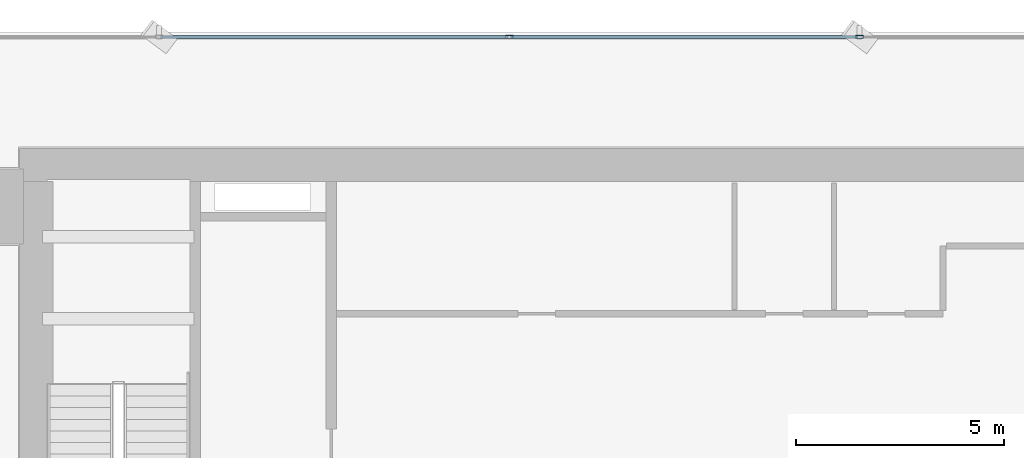
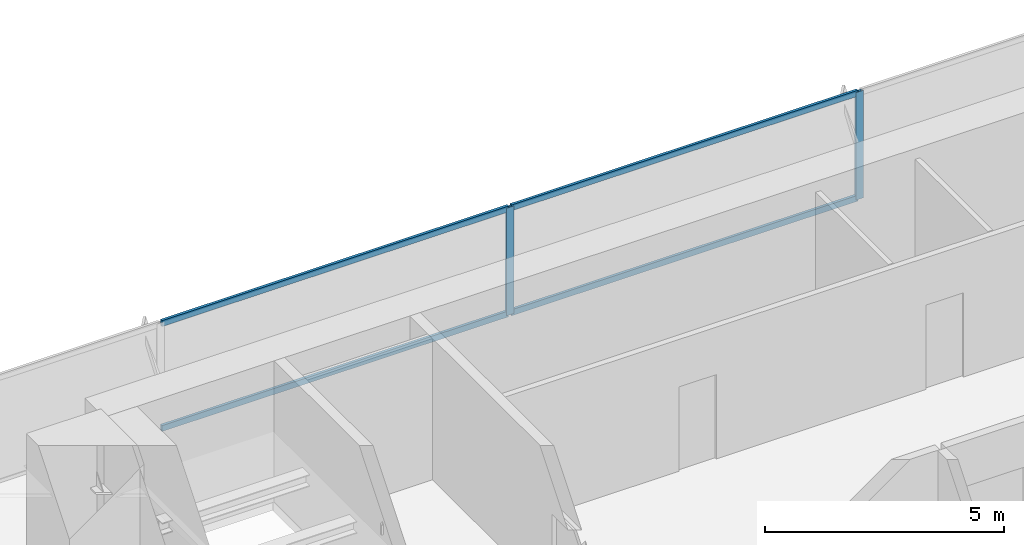
# One storey, part 18 of 32: 6 members, 1 element without a shape of its own.
"""IFC4 building model written with IfcOpenShell, lengths in metres."""

import ifcopenshell
import ifcopenshell.guid

model = None  # the IFC model being written
_history = None  # IfcOwnerHistory: only IFC2X3 demands one
_inside = {}  # id of a spatial element -> (the spatial element, [elements in it])
_under = {}  # id of a project, library or spatial element -> (it, [spatial elements below it])
_declared = {}  # id of a project -> (the project, [libraries it declares])
_typed = {}  # id of a type object -> (the type object, [elements of that type])
_made_of = {}  # id of a material, layer set ... -> (it, [elements and type objects made of it])


def new_model(schema):
    """Start an empty IFC model of exactly this schema.

    Asked for "IFC4X3", IfcOpenShell would pick the latest addendum, in which some entities
    have other attributes; the version numbers below select the first issue.
    IFC2X3 requires an IfcOwnerHistory on every rooted entity: one is made here for all.
    """
    global model, _history
    if schema == "IFC4X3":
        model = ifcopenshell.file(schema_version=(4, 3, 0, 0))
    else:
        model = ifcopenshell.file(schema=schema)
    _inside.clear()
    _under.clear()
    _declared.clear()
    _typed.clear()
    _made_of.clear()
    _history = None
    if model.schema == "IFC2X3":
        org = make("IfcOrganization", Name="unknown")
        user = make(
            "IfcPersonAndOrganization",
            ThePerson=make("IfcPerson", FamilyName="unknown"),
            TheOrganization=org,
        )
        app = make(
            "IfcApplication",
            ApplicationDeveloper=org,
            Version="unknown",
            ApplicationFullName="unknown",
            ApplicationIdentifier="unknown",
        )
        _history = make(
            "IfcOwnerHistory",
            OwningUser=user,
            OwningApplication=app,
            ChangeAction="ADDED",
            CreationDate=0,
        )
    return model


def make(cls, **values):
    """One entity of the class cls with the attributes given. An attribute that is None is left unset."""
    return model.create_entity(
        cls, **{name: value for name, value in values.items() if value is not None}
    )


def rooted(cls, **values):
    """An entity with a GlobalId (a new one), such as an element, a storey or a relation."""
    return make(cls, GlobalId=ifcopenshell.guid.new(), OwnerHistory=_history, **values)


def si_unit(unit_type, name, prefix=None):
    """IfcSIUnit, for example si_unit("LENGTHUNIT", "METRE", prefix="MILLI")."""
    return make("IfcSIUnit", UnitType=unit_type, Prefix=prefix, Name=name)


def assignment(units):
    """IfcUnitAssignment: the units of a project."""
    return None if units is None else make("IfcUnitAssignment", Units=units)


def point(xyz):
    """IfcCartesianPoint."""
    return None if xyz is None else make("IfcCartesianPoint", Coordinates=xyz)


def direction(xyz):
    """IfcDirection."""
    return None if xyz is None else make("IfcDirection", DirectionRatios=xyz)


def frame(location, z_axis=None, x_axis=None):
    """IfcAxis2Placement3D, a coordinate frame: its origin and axes. An axis left out is left unset."""
    return make(
        "IfcAxis2Placement3D",
        Location=point(location),
        Axis=direction(z_axis),
        RefDirection=direction(x_axis),
    )


def frame_2d(location, x_axis=None):
    """IfcAxis2Placement2D, a coordinate frame in the plane: its origin and x axis."""
    return make(
        "IfcAxis2Placement2D", Location=point(location), RefDirection=direction(x_axis)
    )


def origin():
    """The frame at (0, 0, 0) with its axes left unset."""
    return frame((0.0, 0.0, 0.0))


def origin_2d():
    """The frame at (0, 0) in the plane with its x axis left unset."""
    return frame_2d((0.0, 0.0))


def place(relative_to, where):
    """IfcLocalPlacement: puts the frame where relative to a parent placement (None: the world)."""
    return make(
        "IfcLocalPlacement", PlacementRelTo=relative_to, RelativePlacement=where
    )


def context(
    kind, dimensions, precision=None, world=None, true_north=None, identifier=None
):
    """IfcGeometricRepresentationContext, for example the 3D "Model" context."""
    return make(
        "IfcGeometricRepresentationContext",
        ContextIdentifier=identifier,
        ContextType=kind,
        CoordinateSpaceDimension=dimensions,
        Precision=precision,
        WorldCoordinateSystem=world,
        TrueNorth=true_north,
    )


def subcontext(parent, identifier, kind, view, scale=None):
    """IfcGeometricRepresentationSubContext, for example "Body" below "Model"."""
    return make(
        "IfcGeometricRepresentationSubContext",
        ContextIdentifier=identifier,
        ContextType=kind,
        ParentContext=parent,
        TargetScale=scale,
        TargetView=view,
    )


def project(units=None, contexts=None):
    """IfcProject with its units and contexts."""
    return rooted(
        "IfcProject",
        Name="project",
        RepresentationContexts=contexts,
        UnitsInContext=assignment(units),
    )


def spatial(cls, under=None, at=None, **own):
    """A site, building, storey or space (cls), placed at a placement, below another one or the project."""
    s = rooted(cls, ObjectPlacement=at, **own)
    if under is not None:
        _under.setdefault(under.id(), (under, []))[1].append(s)
    return s


def profile(cls, at=None, kind="AREA", **sizes):
    """A parametric profile (cls). Its sizes go by their IFC names, for example OverallWidth=200.0."""
    return make(cls, ProfileType=kind, Position=at, **sizes)


def hollow_rectangle(**sizes):
    """IfcRectangleHollowProfileDef."""
    return profile("IfcRectangleHollowProfileDef", **sizes)


def extrude(swept, where, along, depth):
    """IfcExtrudedAreaSolid: the profile swept, set in the frame where, extruded along a direction by depth."""
    return make(
        "IfcExtrudedAreaSolid",
        SweptArea=swept,
        Position=where,
        ExtrudedDirection=direction(along),
        Depth=depth,
    )


def shape(context_of_items, identifier, shape_type, items):
    """IfcShapeRepresentation: the items that make up one representation, for example the "Body"."""
    return make(
        "IfcShapeRepresentation",
        ContextOfItems=context_of_items,
        RepresentationIdentifier=identifier,
        RepresentationType=shape_type,
        Items=items,
    )


def source(mapping_origin, context_of_items, identifier, shape_type, items):
    """IfcRepresentationMap: a shape defined once, which mapped items show again and again."""
    return make(
        "IfcRepresentationMap",
        MappingOrigin=mapping_origin,
        MappedRepresentation=shape(context_of_items, identifier, shape_type, items),
    )


def transform(
    local_origin,
    x_axis=None,
    y_axis=None,
    z_axis=None,
    scale=None,
    scale2=None,
    scale3=None,
    uniform=True,
):
    """IfcCartesianTransformationOperator3D, or its non-uniform kind. x_axis, y_axis, z_axis: its Axis1, 2, 3."""
    if uniform:
        return make(
            "IfcCartesianTransformationOperator3D",
            Axis1=direction(x_axis),
            Axis2=direction(y_axis),
            LocalOrigin=point(local_origin),
            Scale=scale,
            Axis3=direction(z_axis),
        )
    return make(
        "IfcCartesianTransformationOperator3DnonUniform",
        Axis1=direction(x_axis),
        Axis2=direction(y_axis),
        LocalOrigin=point(local_origin),
        Scale=scale,
        Axis3=direction(z_axis),
        Scale2=scale2,
        Scale3=scale3,
    )


def mapped(mapping_source, mapping_target):
    """IfcMappedItem: shows the shape of a source again, moved by a transform."""
    return make(
        "IfcMappedItem", MappingSource=mapping_source, MappingTarget=mapping_target
    )


def material(Name=None, Category=None):
    """IfcMaterial."""
    return make("IfcMaterial", Name=Name, Category=Category)


def layer(
    of_material, thickness, ventilated=None, Name=None, Category=None, Priority=None
):
    """IfcMaterialLayer: one layer of a wall or slab, of a material (None: an air gap)."""
    return make(
        "IfcMaterialLayer",
        Material=of_material,
        LayerThickness=thickness,
        IsVentilated=ventilated,
        Name=Name,
        Category=Category,
        Priority=Priority,
    )


def layer_set(layers, Name=None):
    """IfcMaterialLayerSet."""
    return make("IfcMaterialLayerSet", MaterialLayers=layers, LayerSetName=Name)


def material_profile(
    of_material, cross_section, Name=None, Category=None, Priority=None
):
    """IfcMaterialProfile: a cross section and its material."""
    return make(
        "IfcMaterialProfile",
        Name=Name,
        Material=of_material,
        Profile=cross_section,
        Priority=Priority,
        Category=Category,
    )


def profile_set(profiles, Name=None, composite=None):
    """IfcMaterialProfileSet."""
    return make(
        "IfcMaterialProfileSet",
        Name=Name,
        MaterialProfiles=profiles,
        CompositeProfile=composite,
    )


def made_of(thing, what):
    """Note that an element or type object is made of a material, layer set ...; save() writes the relation."""
    if what is not None:
        _made_of.setdefault(what.id(), (what, []))[1].append(thing)
    return thing


def type_object(cls, material=None, **own):
    """A type object (cls), such as IfcWallType, which elements share."""
    return made_of(rooted(cls, **own), material)


def element(
    cls,
    number,
    at=None,
    inside=None,
    cuts=None,
    type_object=None,
    material=None,
    context=None,
    identifier="Body",
    shape_type=None,
    held_by="IfcProductDefinitionShape",
    body=None,
    shapes=None,
    **own,
):
    """One element of the class cls, such as IfcWall. Its Tag is "e" and its number.

    at: its placement. inside: the storey or other place that contains it. cuts: it is an
    opening in that element (IfcRelVoidsElement). A single representation is given by context,
    identifier, shape_type and body (its items); several are given by shapes. held_by: the class
    of the entity that holds the representations. save() writes the other relations.
    """
    e = rooted(cls, Tag="e%d" % number, ObjectPlacement=at, **own)
    if body is not None:
        shapes = [shape(context, identifier, shape_type, body)]
    if shapes is not None:
        e.Representation = make(held_by, Representations=shapes)
    if inside is not None:
        _inside.setdefault(inside.id(), (inside, []))[1].append(e)
    if cuts is not None:
        rooted(
            "IfcRelVoidsElement", RelatingBuildingElement=cuts, RelatedOpeningElement=e
        )
    if type_object is not None:
        _typed.setdefault(type_object.id(), (type_object, []))[1].append(e)
    return made_of(e, material)


def aggregate(whole, parts):
    """IfcRelAggregates: a whole, such as a stair, and the parts it consists of."""
    return rooted("IfcRelAggregates", RelatingObject=whole, RelatedObjects=parts)


def save(model, path):
    """Write the relations noted so far, then the file.

    IfcRelAggregates (storeys below a building ...), IfcRelContainedInSpatialStructure (elements
    in a storey), IfcRelDefinesByType, IfcRelAssociatesMaterial and IfcRelDeclares: one each for
    every whole, place, type object, material and project.
    """
    for whole, parts in _under.values():
        aggregate(whole, parts)
    for where, things in _inside.values():
        rooted(
            "IfcRelContainedInSpatialStructure",
            RelatedElements=things,
            RelatingStructure=where,
        )
    for kind, things in _typed.values():
        rooted("IfcRelDefinesByType", RelatedObjects=things, RelatingType=kind)
    for what, things in _made_of.values():
        rooted("IfcRelAssociatesMaterial", RelatedObjects=things, RelatingMaterial=what)
    for by, libraries in _declared.values():
        rooted("IfcRelDeclares", RelatingContext=by, RelatedDefinitions=libraries)
    model.write(path)


model = new_model("IFC4")

# Units and contexts
model_context = context("Model", 3, precision=1e-05, world=origin(), true_north=direction((0.0, 1.0)))
body_context = subcontext(model_context, "Body", "Model", "MODEL_VIEW")
ifc_project = project(units=[si_unit("LENGTHUNIT", "METRE"), si_unit("AREAUNIT", "SQUARE_METRE"), si_unit("VOLUMEUNIT", "CUBIC_METRE"), si_unit("PLANEANGLEUNIT", "RADIAN"), si_unit("MASSUNIT", "GRAM", prefix="KILO")], contexts=[model_context])

# Site, building, storey
site_placement = place(None, origin())
site = spatial("IfcSite", under=ifc_project, at=site_placement, CompositionType="ELEMENT")
building_placement = place(site_placement, origin())
building = spatial("IfcBuilding", under=site, at=building_placement, Name="Sumidabori Civic Tower", CompositionType="ELEMENT")
storey_placement = place(building_placement, frame((0.0, 0.0, 48.800048828125)))
storey = spatial("IfcBuildingStorey", under=building, at=storey_placement, Name="L12", CompositionType="ELEMENT", Elevation=48.800048828125)

# Curtain wall, members
ifc_material = material(Name="Anodised Bronze Aluminium AW-6063-T6", Category="aluminium")
ifc_layer = layer(ifc_material, 0.179931640625, Name="Anodised Bronze Aluminium AW-6063-T6")
ifc_layer_set = layer_set([ifc_layer], Name="Anodised Bronze Aluminium AW-6063-T6")
curtain_wall_type = type_object("IfcCurtainWallType", Name="CW-SYS-2", PredefinedType="NOTDEFINED", material=ifc_layer_set)
curtain_wall_placement = place(storey_placement, origin())
curtain_wall = element("IfcCurtainWall", 1, at=curtain_wall_placement, inside=storey, type_object=curtain_wall_type, Name="Curtain Wall CW:L12:R07", PredefinedType="NOTDEFINED")
ifc_material_profile_1 = material_profile(ifc_material, hollow_rectangle(XDim=0.070068359375, YDim=0.179931640625, WallThickness=0.006103515625, at=origin_2d()), Name="ALU MULLION 180x70")
ifc_profile_set_1 = profile_set([ifc_material_profile_1], Name="Anodised Bronze Aluminium AW-6063-T6")
member_type_1 = type_object("IfcMemberType", Name="CW-MUL-180", PredefinedType="MULLION", material=ifc_profile_set_1)
shared_shape_1 = source(origin(), body_context, "Body", "SweptSolid", [
    extrude(hollow_rectangle(XDim=0.070068359375, YDim=0.179931640625, WallThickness=0.006103515625, at=origin_2d()), origin(), (0.0, 0.0, 1.0), 2.739990234375),
])
member_1_placement = place(storey_placement, frame((4.214111328125, 26.8798828125, 0.0), z_axis=(0.0, 0.0, 1.0), x_axis=(0.0, -1.0, 0.0)))
member_1 = element("IfcMember", 2, at=member_1_placement, type_object=member_type_1, Name="CW-2 mullion 3", PredefinedType="MULLION", context=body_context, shape_type="MappedRepresentation", body=[
    mapped(shared_shape_1, transform((0.0, 0.0, 0.0), x_axis=(1.0, 0.0, 0.0), y_axis=(0.0, 1.0, 0.0), z_axis=(0.0, 0.0, 1.0), scale=1.0)),
])
member_2_placement = place(storey_placement, frame((-4.214111328125, 26.8798828125, 0.0), z_axis=(0.0, 0.0, 1.0), x_axis=(0.0, -1.0, 0.0)))
member_2 = element("IfcMember", 3, at=member_2_placement, type_object=member_type_1, Name="CW-2 mullion 4", PredefinedType="MULLION", context=body_context, shape_type="MappedRepresentation", body=[
    mapped(shared_shape_1, transform((0.0, 0.0, 0.0), x_axis=(1.0, 0.0, 0.0), y_axis=(0.0, 1.0, 0.0), z_axis=(0.0, 0.0, 1.0), scale=1.0)),
])
ifc_material_profile_2 = material_profile(ifc_material, hollow_rectangle(XDim=0.06494140625, YDim=0.14990234375, WallThickness=0.0048828125, at=origin_2d()), Name="ALU TRANSOM 150x65")
ifc_profile_set_2 = profile_set([ifc_material_profile_2], Name="Anodised Bronze Aluminium AW-6063-T6")
member_type_2 = type_object("IfcMemberType", Name="CW-TRN-150", PredefinedType="USERDEFINED", material=ifc_profile_set_2)
shared_shape_2 = source(origin(), body_context, "Body", "SweptSolid", [
    extrude(hollow_rectangle(XDim=0.06494140625, YDim=0.14990234375, WallThickness=0.0048828125, at=origin_2d()), origin(), (0.0, 0.0, 1.0), 8.35791015625),
])
member_3_placement = place(storey_placement, frame((4.178955078125, 26.8798828125, 0.032470703125), z_axis=(-1.0, 0.0, 0.0), x_axis=(0.0, -1.0, 0.0)))
member_3 = element("IfcMember", 4, at=member_3_placement, type_object=member_type_2, Name="CW-2 transom 3.1", ObjectType="TRANSOM", PredefinedType="USERDEFINED", context=body_context, shape_type="MappedRepresentation", body=[
    mapped(shared_shape_2, transform((0.0, 0.0, 0.0), x_axis=(1.0, 0.0, 0.0), y_axis=(0.0, 1.0, 0.0), z_axis=(0.0, 0.0, 1.0), scale=1.0)),
])
member_4_placement = place(storey_placement, frame((4.178955078125, 26.8798828125, 2.70751953125), z_axis=(-1.0, 0.0, 0.0), x_axis=(0.0, -1.0, 0.0)))
member_4 = element("IfcMember", 5, at=member_4_placement, type_object=member_type_2, Name="CW-2 transom 3.2", ObjectType="TRANSOM", PredefinedType="USERDEFINED", context=body_context, shape_type="MappedRepresentation", body=[
    mapped(shared_shape_2, transform((0.0, 0.0, 0.0), x_axis=(1.0, 0.0, 0.0), y_axis=(0.0, 1.0, 0.0), z_axis=(0.0, 0.0, 1.0), scale=1.0)),
])
member_5_placement = place(storey_placement, frame((-4.2490234375, 26.8798828125, 0.032470703125), z_axis=(-1.0, 0.0, 0.0), x_axis=(0.0, -1.0, 0.0)))
member_5 = element("IfcMember", 6, at=member_5_placement, type_object=member_type_2, Name="CW-2 transom 4.1", ObjectType="TRANSOM", PredefinedType="USERDEFINED", context=body_context, shape_type="MappedRepresentation", body=[
    mapped(shared_shape_2, transform((0.0, 0.0, 0.0), x_axis=(1.0, 0.0, 0.0), y_axis=(0.0, 1.0, 0.0), z_axis=(0.0, 0.0, 1.0), scale=1.0)),
])
member_6_placement = place(storey_placement, frame((-4.2490234375, 26.8798828125, 2.70751953125), z_axis=(-1.0, 0.0, 0.0), x_axis=(0.0, -1.0, 0.0)))
member_6 = element("IfcMember", 7, at=member_6_placement, type_object=member_type_2, Name="CW-2 transom 4.2", ObjectType="TRANSOM", PredefinedType="USERDEFINED", context=body_context, shape_type="MappedRepresentation", body=[
    mapped(shared_shape_2, transform((0.0, 0.0, 0.0), x_axis=(1.0, 0.0, 0.0), y_axis=(0.0, 1.0, 0.0), z_axis=(0.0, 0.0, 1.0), scale=1.0)),
])
aggregate(curtain_wall, [member_1, member_2, member_3, member_4, member_5, member_6])

save(model, "model.ifc")
